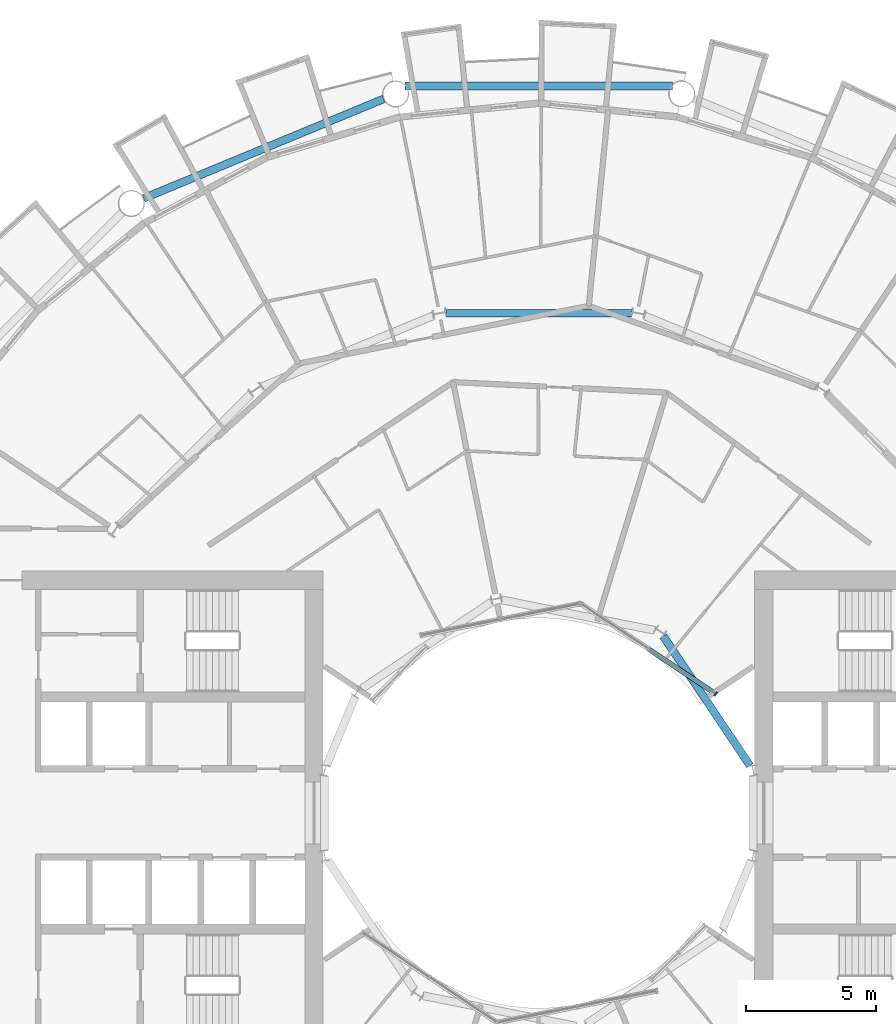
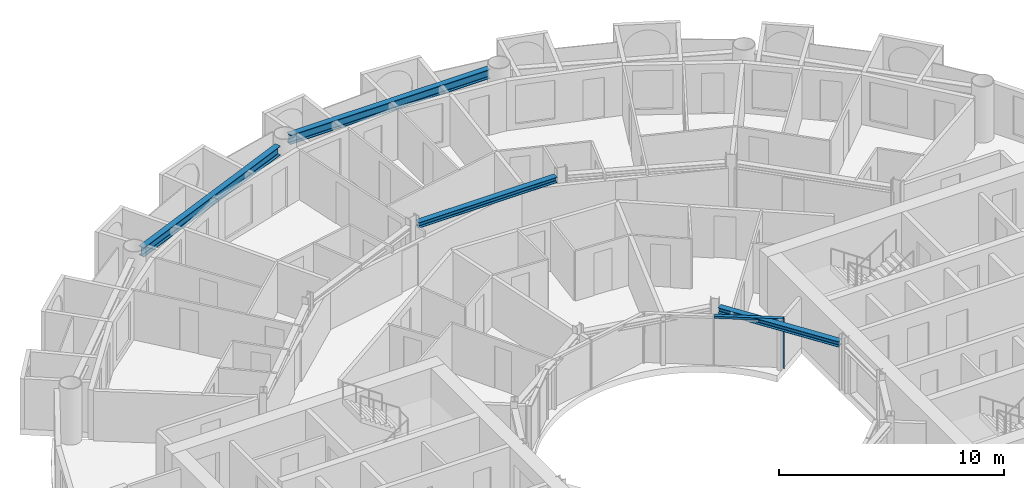
# One storey, part 8 of 26: 4 beams, 2 members, 1 element without a shape of its own.
"""IFC4 building model written with IfcOpenShell, lengths in metres."""

from ifc_helpers import new_model, si_unit, direction, frame, origin, origin_2d, place, context, subcontext, project, spatial, rectangle, i_section, extrude, material, layer, layer_set, material_profile, profile_set, type_object, element, aggregate, save


model = new_model("IFC4")

# Units and contexts
model_context = context("Model", 3, precision=1e-05, world=origin(), true_north=direction((0.0, 1.0)))
body_context = subcontext(model_context, "Body", "Model", "MODEL_VIEW")
ifc_project = project(units=[si_unit("LENGTHUNIT", "METRE"), si_unit("AREAUNIT", "SQUARE_METRE"), si_unit("VOLUMEUNIT", "CUBIC_METRE"), si_unit("PLANEANGLEUNIT", "RADIAN"), si_unit("MASSUNIT", "GRAM", prefix="KILO")], contexts=[model_context])

# Site, building, storey
site_placement = place(None, origin())
site = spatial("IfcSite", under=ifc_project, at=site_placement, CompositionType="ELEMENT")
building_placement = place(site_placement, origin())
building = spatial("IfcBuilding", under=site, at=building_placement, Name="Maasbend Ring Residences", CompositionType="ELEMENT")
storey_placement = place(building_placement, frame((0.0, 0.0, 63.60009765625)))
storey = spatial("IfcBuildingStorey", under=building, at=storey_placement, Name="L17", CompositionType="ELEMENT", Elevation=63.60009765625)

# Curtain wall, members
ifc_material_1 = material(Name="Aluminium and clear glass", Category="aluminium")
ifc_layer = layer(ifc_material_1, 0.179931640625)
ifc_layer_set = layer_set([ifc_layer], Name="CW-W")
curtain_wall_type = type_object("IfcCurtainWallType", Name="CW-W", PredefinedType="NOTDEFINED", material=ifc_layer_set)
curtain_wall_placement = place(storey_placement, origin())
curtain_wall = element("IfcCurtainWall", 1, at=curtain_wall_placement, inside=storey, type_object=curtain_wall_type, Name="Well curtain wall N1", PredefinedType="NOTDEFINED")
ifc_material_2 = material(Name="Aluminium 6063-T6", Category="aluminium")
ifc_material_profile_1 = material_profile(ifc_material_2, rectangle(XDim=0.179931640625, YDim=0.06005859375, at=origin_2d()), Name="AL 180x60")
ifc_profile_set_1 = profile_set([ifc_material_profile_1], Name="Aluminium 6063-T6")
member_type_1 = type_object("IfcMemberType", Name="CWM-W", PredefinedType="MULLION", material=ifc_profile_set_1)
member_1_placement = place(storey_placement, frame((6.805908203125, 4.580810546875, 0.0), z_axis=(0.0, 0.0, 1.0), x_axis=(-0.55557023302, -0.831469612303, 0.0)))
member_1 = element("IfcMember", 2, at=member_1_placement, type_object=member_type_1, Name="Mullion well face", PredefinedType="MULLION", context=body_context, shape_type="SweptSolid", body=[
    extrude(rectangle(XDim=0.179931640625, YDim=0.06005859375, at=origin_2d()), origin(), (0.0, 0.0, 1.0), 2.699951171875),
])
ifc_material_3 = material(Name="Aluminium 6063-T6", Category="aluminium")
ifc_material_profile_2 = material_profile(ifc_material_3, rectangle(XDim=0.179931640625, YDim=0.1201171875, at=origin_2d()), Name="AL 180x120")
ifc_profile_set_2 = profile_set([ifc_material_profile_2], Name="Aluminium 6063-T6")
member_type_2 = type_object("IfcMemberType", Name="CWT-W", PredefinedType="USERDEFINED", material=ifc_profile_set_2)
member_2_placement = place(storey_placement, frame((6.781005859375, 4.59765625, 2.639892578125), z_axis=(-0.831496422459, 0.555530106689, 0.0), x_axis=(-0.555530106689, -0.831496422459, 0.0)))
member_2 = element("IfcMember", 3, at=member_2_placement, type_object=member_type_2, Name="Transom well face", ObjectType="TRANSOM", PredefinedType="USERDEFINED", context=body_context, shape_type="SweptSolid", body=[
    extrude(rectangle(XDim=0.179931640625, YDim=0.1201171875, at=origin_2d()), origin(), (0.0, 0.0, 1.0), 3.053955078125),
])
aggregate(curtain_wall, [member_1, member_2])

# Beams
ifc_material_4 = material(Name="Steel S355J2", Category="steel")
ifc_material_profile_3 = material_profile(ifc_material_4, i_section(OverallWidth=0.300048828125, OverallDepth=0.300048828125, WebThickness=0.010986328125, FlangeThickness=0.01904296875, FilletRadius=0.027099609375, at=origin_2d()), Name="HEB 300")
ifc_profile_set_3 = profile_set([ifc_material_profile_3], Name="Steel S355J2")
beam_type_1 = type_object("IfcBeamType", Name="Corridor ring beam HEB 300", PredefinedType="BEAM", material=ifc_profile_set_3)
beam_1_placement = place(storey_placement, frame((3.556640625, 19.223388671875, 2.5498046875), z_axis=(-1.0, 0.0, 0.0), x_axis=(0.0, -1.0, 0.0)))
element("IfcBeam", 4, at=beam_1_placement, inside=storey, type_object=beam_type_1, Name="Corridor ring beam", PredefinedType="BEAM", context=body_context, shape_type="SweptSolid", body=[
    extrude(i_section(OverallWidth=0.300048828125, OverallDepth=0.300048828125, WebThickness=0.010986328125, FlangeThickness=0.01904296875, FilletRadius=0.027099609375, at=origin_2d()), origin(), (0.0, 0.0, 1.0), 7.11328125),
])
ifc_material_5 = material(Name="Steel S355J2", Category="steel")
ifc_material_profile_4 = material_profile(ifc_material_5, i_section(OverallWidth=0.300048828125, OverallDepth=0.5, WebThickness=0.014404296875, FlangeThickness=0.028076171875, FilletRadius=0.027099609375, at=origin_2d()), Name="HEB 500")
ifc_profile_set_4 = profile_set([ifc_material_profile_4], Name="Steel S355J2")
beam_type_2 = type_object("IfcBeamType", Name="Spandrel ring beam HEB 500", PredefinedType="SPANDREL", material=ifc_profile_set_4)
beam_2_placement = place(storey_placement, frame((5.1435546875, 27.9580078125, 2.449951171875), z_axis=(-1.0, 0.0, 0.0), x_axis=(0.0, -1.0, 0.0)))
element("IfcBeam", 5, at=beam_2_placement, inside=storey, type_object=beam_type_2, Name="Spandrel ring beam", PredefinedType="SPANDREL", context=body_context, shape_type="SweptSolid", body=[
    extrude(i_section(OverallWidth=0.300048828125, OverallDepth=0.5, WebThickness=0.014404296875, FlangeThickness=0.028076171875, FilletRadius=0.027099609375, at=origin_2d()), origin(), (0.0, 0.0, 1.0), 10.287109375),
])
beam_3_placement = place(storey_placement, frame((-5.970703125, 27.463623046875, 2.449951171875), z_axis=(-0.923886337442, -0.382667003395, 0.0), x_axis=(0.382667003395, -0.923886337442, 0.0)))
element("IfcBeam", 6, at=beam_3_placement, inside=storey, type_object=beam_type_2, Name="Spandrel ring beam", PredefinedType="SPANDREL", context=body_context, shape_type="SweptSolid", body=[
    extrude(i_section(OverallWidth=0.300048828125, OverallDepth=0.5, WebThickness=0.014404296875, FlangeThickness=0.028076171875, FilletRadius=0.027099609375, at=origin_2d()), origin(), (0.0, 0.0, 1.0), 9.9873046875),
])
ifc_material_6 = material(Name="Steel S355J2", Category="steel")
ifc_material_profile_5 = material_profile(ifc_material_6, i_section(OverallWidth=0.300048828125, OverallDepth=0.300048828125, WebThickness=0.010986328125, FlangeThickness=0.01904296875, FilletRadius=0.027099609375, at=origin_2d()), Name="HEB 300")
ifc_profile_set_5 = profile_set([ifc_material_profile_5], Name="Steel S355J2")
beam_type_3 = type_object("IfcBeamType", Name="Well edge beam HEB 300", PredefinedType="BEAM", material=ifc_profile_set_5)
beam_4_placement = place(storey_placement, frame((8.118408203125, 1.81884765625, 2.5498046875), z_axis=(-0.555592533493, 0.83145471117, 0.0), x_axis=(-0.83145471117, -0.555592533493, 0.0)))
element("IfcBeam", 7, at=beam_4_placement, inside=storey, type_object=beam_type_3, Name="Well edge beam", PredefinedType="BEAM", context=body_context, shape_type="SweptSolid", body=[
    extrude(i_section(OverallWidth=0.300048828125, OverallDepth=0.300048828125, WebThickness=0.010986328125, FlangeThickness=0.01904296875, FilletRadius=0.027099609375, at=origin_2d()), origin(), (0.0, 0.0, 1.0), 5.995849609375),
])

save(model, "model.ifc")
